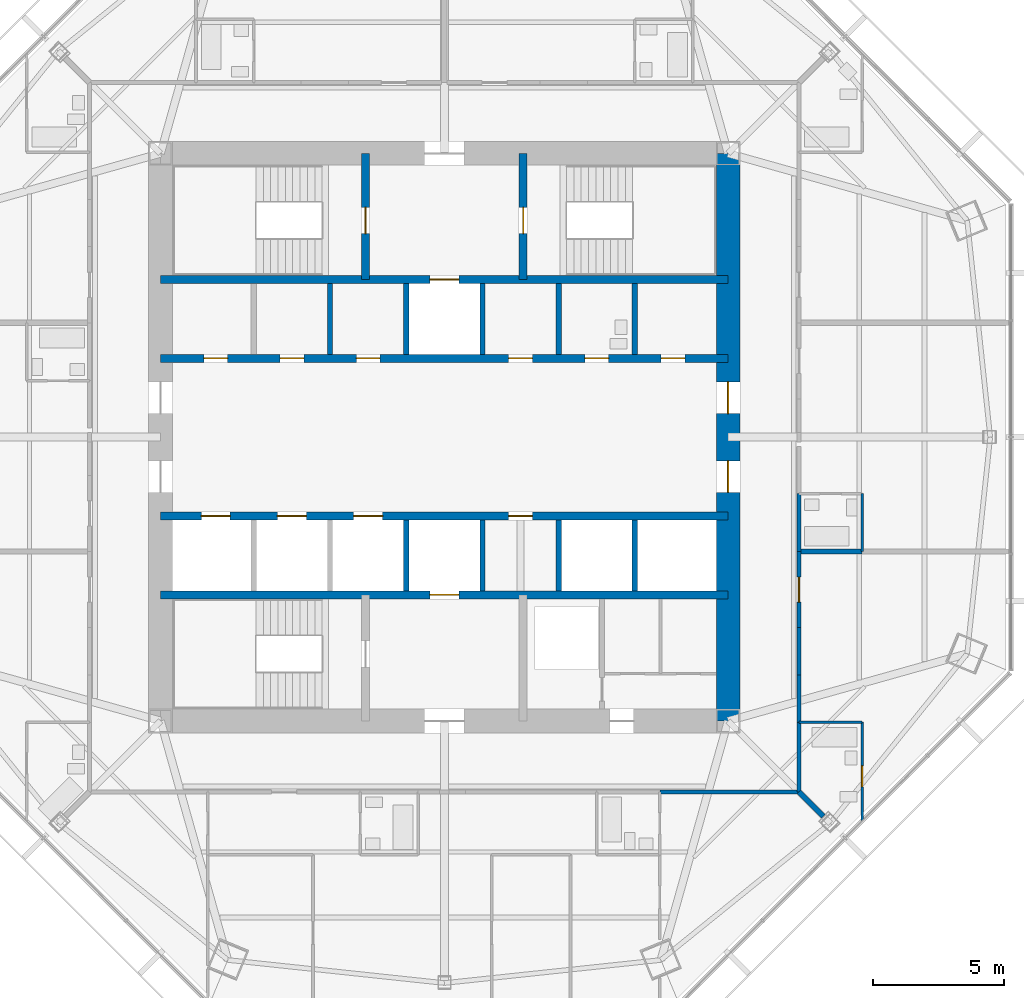
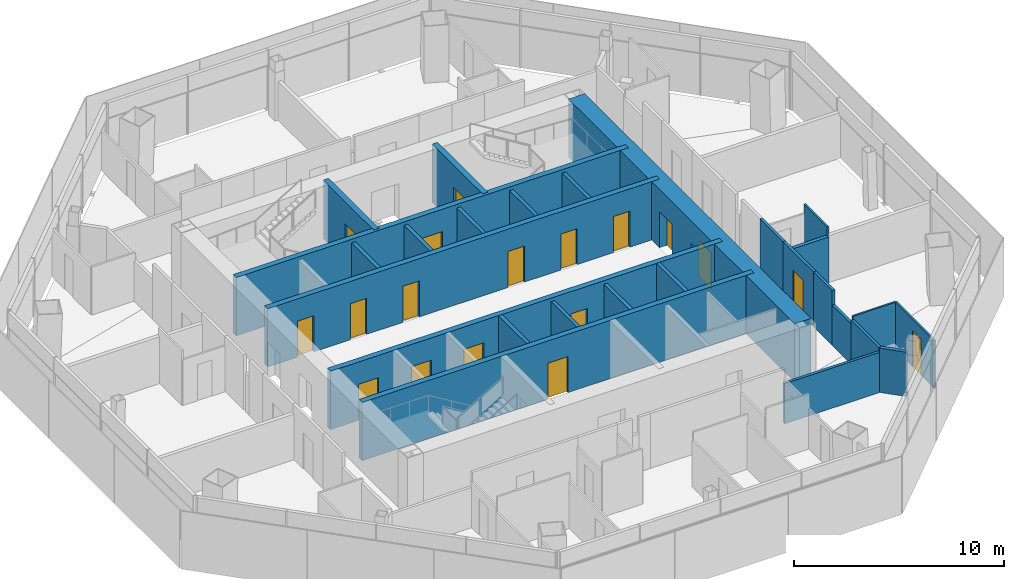
# One storey, part 10 of 15: 27 walls, 18 doors, 18 openings.
"""IFC4 building model written with IfcOpenShell, lengths in metres."""

from ifc_helpers import new_model, si_unit, direction, frame, frame_2d, origin, place, context, subcontext, project, spatial, rectangle, extrude, material, layer, layer_set, type_object, element, fill, save


model = new_model("IFC4")

# Units and contexts
model_context = context("Model", 3, precision=1e-05, world=origin(), true_north=direction((0.0, 1.0)))
body_context = subcontext(model_context, "Body", "Model", "MODEL_VIEW")
ifc_project = project(units=[si_unit("LENGTHUNIT", "METRE"), si_unit("AREAUNIT", "SQUARE_METRE"), si_unit("VOLUMEUNIT", "CUBIC_METRE"), si_unit("PLANEANGLEUNIT", "RADIAN"), si_unit("MASSUNIT", "GRAM", prefix="KILO")], contexts=[model_context])

# Site, building, storey
site_placement = place(None, origin())
site = spatial("IfcSite", under=ifc_project, at=site_placement, CompositionType="ELEMENT")
building_placement = place(site_placement, origin())
building = spatial("IfcBuilding", under=site, at=building_placement, Name="Mashrafa Tower", CompositionType="ELEMENT")
storey_placement = place(building_placement, frame((0.0, 0.0, 227.800048828125)))
storey = spatial("IfcBuildingStorey", under=building, at=storey_placement, Name="L53", CompositionType="ELEMENT", Elevation=227.800048828125)

# Walls
ifc_material_1 = material(Name="Gypsum board on steel studs", Category="steel")
ifc_layer_1 = layer(ifc_material_1, 0.199951171875)
ifc_layer_set_1 = layer_set([ifc_layer_1], Name="Acoustic partition 200 1 hr")
wall_type_1 = type_object("IfcWallType", Name="Acoustic partition 200 1 hr", PredefinedType="PARTITIONING", material=ifc_layer_set_1)
wall_1_placement = place(storey_placement, frame((13.5, -13.5, 0.0), z_axis=(0.0, 0.0, 1.0), x_axis=(0.707106781187, -0.707106781187, 0.0)))
element("IfcWall", 1, at=wall_1_placement, inside=storey, type_object=wall_type_1, Name="Acoustic wall L53-048", PredefinedType="PARTITIONING", context=body_context, shape_type="SweptSolid", body=[
    extrude(rectangle(XDim=1.3134765625, YDim=0.199951171875, at=frame_2d((0.65673828125, 0.0))), origin(), (0.0, 0.0, 1.0), 2.582763671875),
])
wall_2_placement = place(storey_placement, frame((15.90087890625, -4.35009765625, 0.0), z_axis=(0.0, 0.0, 1.0), x_axis=(-1.0, 0.0, 0.0)))
element("IfcWall", 2, at=wall_2_placement, inside=storey, type_object=wall_type_1, Name="Acoustic wall L53-049", PredefinedType="PARTITIONING", context=body_context, shape_type="SweptSolid", body=[
    extrude(rectangle(XDim=2.40087890625, YDim=0.199951171875, at=frame_2d((1.200439453125, 0.0))), origin(), (0.0, 0.0, 1.0), 2.6640625),
])

# Wall, openings, doors
ifc_material_2 = material(Name="Concrete C50/60", Category="concrete")
ifc_layer_2 = layer(ifc_material_2, 0.300048828125)
ifc_layer_set_2 = layer_set([ifc_layer_2], Name="Core wall 300 C50/60")
wall_type_2 = type_object("IfcWallType", Name="Core wall 300 C50/60", PredefinedType="SOLIDWALL", material=ifc_layer_set_2)
wall_3_placement = place(storey_placement, frame((-10.800048828125, 3.0, 0.0), z_axis=(0.0, 0.0, 1.0), x_axis=(1.0, 0.0, 0.0)))
wall_3 = element("IfcWall", 3, at=wall_3_placement, inside=storey, type_object=wall_type_2, Name="Core wall CH-N L53", PredefinedType="SOLIDWALL", context=body_context, shape_type="SweptSolid", body=[
    extrude(rectangle(XDim=21.60009765625, YDim=0.300048828125, at=frame_2d((10.800048828125, 0.0))), origin(), (0.0, 0.0, 1.0), 3.39990234375),
])
opening_1_placement = place(wall_3_placement, frame((1.64990234375, 0.0, 0.0)))
opening_1 = element("IfcOpeningElement", 4, at=opening_1_placement, cuts=wall_3, Name="Opening 53.039", PredefinedType="OPENING", context=body_context, shape_type="SweptSolid", body=[
    extrude(rectangle(XDim=0.89990234375, YDim=2.10009765625, at=frame_2d((0.449951171875, 1.050048828125))), frame((0.0, 0.159912109375, 0.0), z_axis=(0.0, -1.0, 0.0), x_axis=(1.0, 0.0, 0.0)), (0.0, 0.0, 1.0), 0.320068359375),
])
opening_2_placement = place(wall_3_placement, frame((13.25, 0.0, 0.0)))
opening_2 = element("IfcOpeningElement", 5, at=opening_2_placement, cuts=wall_3, Name="Opening 53.040", PredefinedType="OPENING", context=body_context, shape_type="SweptSolid", body=[
    extrude(rectangle(XDim=0.89990234375, YDim=2.10009765625, at=frame_2d((0.449951171875, 1.050048828125))), frame((0.0, 0.159912109375, 0.0), z_axis=(0.0, -1.0, 0.0), x_axis=(1.0, 0.0, 0.0)), (0.0, 0.0, 1.0), 0.320068359375),
])
opening_3_placement = place(wall_3_placement, frame((16.14990234375, 0.0, 0.0)))
opening_3 = element("IfcOpeningElement", 6, at=opening_3_placement, cuts=wall_3, Name="Opening 53.041", PredefinedType="OPENING", context=body_context, shape_type="SweptSolid", body=[
    extrude(rectangle(XDim=0.89990234375, YDim=2.10009765625, at=frame_2d((0.449951171875, 1.050048828125))), frame((0.0, 0.159912109375, 0.0), z_axis=(0.0, -1.0, 0.0), x_axis=(1.0, 0.0, 0.0)), (0.0, 0.0, 1.0), 0.320068359375),
])
opening_4_placement = place(wall_3_placement, frame((4.550048828125, 0.0, 0.0)))
opening_4 = element("IfcOpeningElement", 7, at=opening_4_placement, cuts=wall_3, Name="Opening 53.043", PredefinedType="OPENING", context=body_context, shape_type="SweptSolid", body=[
    extrude(rectangle(XDim=0.89990234375, YDim=2.10009765625, at=frame_2d((0.449951171875, 1.050048828125))), frame((0.0, 0.159912109375, 0.0), z_axis=(0.0, -1.0, 0.0), x_axis=(1.0, 0.0, 0.0)), (0.0, 0.0, 1.0), 0.320068359375),
])
opening_5_placement = place(wall_3_placement, frame((7.449951171875, 0.0, 0.0)))
opening_5 = element("IfcOpeningElement", 8, at=opening_5_placement, cuts=wall_3, Name="Opening 53.044", PredefinedType="OPENING", context=body_context, shape_type="SweptSolid", body=[
    extrude(rectangle(XDim=0.89990234375, YDim=2.10009765625, at=frame_2d((0.449951171875, 1.050048828125))), frame((0.0, 0.159912109375, 0.0), z_axis=(0.0, -1.0, 0.0), x_axis=(1.0, 0.0, 0.0)), (0.0, 0.0, 1.0), 0.320068359375),
])
opening_6_placement = place(wall_3_placement, frame((19.050048828125, 0.0, 0.0)))
opening_6 = element("IfcOpeningElement", 9, at=opening_6_placement, cuts=wall_3, Name="Opening 53.045", PredefinedType="OPENING", context=body_context, shape_type="SweptSolid", body=[
    extrude(rectangle(XDim=0.89990234375, YDim=2.10009765625, at=frame_2d((0.449951171875, 1.050048828125))), frame((0.0, 0.159912109375, 0.0), z_axis=(0.0, -1.0, 0.0), x_axis=(1.0, 0.0, 0.0)), (0.0, 0.0, 1.0), 0.320068359375),
])
ifc_material_3 = material(Name="Timber door", Category="wood")
door_type_1 = type_object("IfcDoorType", Name="Store door 900 x 2100", OperationType="USERDEFINED", PredefinedType="DOOR", material=ifc_material_3)
door_1_placement = place(opening_1_placement, origin())
door_1 = element("IfcDoor", 10, at=door_1_placement, inside=storey, type_object=door_type_1, Name="Refuse Chute Room L53 door", OperationType="SINGLE_SWING_RIGHT", OverallHeight=2.10009765625, OverallWidth=0.89990234375, PredefinedType="DOOR", context=body_context, shape_type="SweptSolid", body=[
    extrude(rectangle(XDim=0.89990234375, YDim=2.10009765625, at=frame_2d((0.449951171875, 1.050048828125))), frame((0.0, 0.02490234375, 0.0), z_axis=(0.0, -1.0, 0.0), x_axis=(1.0, 0.0, 0.0)), (0.0, 0.0, 1.0), 0.050048828125),
])
fill(opening_1, door_1)
door_2_placement = place(opening_2_placement, origin())
door_2 = element("IfcDoor", 11, at=door_2_placement, inside=storey, type_object=door_type_1, Name="Cleaner's Store L53 door", OperationType="SINGLE_SWING_LEFT", OverallHeight=2.10009765625, OverallWidth=0.89990234375, PredefinedType="DOOR", context=body_context, shape_type="SweptSolid", body=[
    extrude(rectangle(XDim=0.89990234375, YDim=2.10009765625, at=frame_2d((0.449951171875, 1.050048828125))), frame((0.0, 0.02490234375, 0.0), z_axis=(0.0, -1.0, 0.0), x_axis=(1.0, 0.0, 0.0)), (0.0, 0.0, 1.0), 0.050048828125),
])
fill(opening_2, door_2)
door_3_placement = place(opening_4_placement, origin())
door_3 = element("IfcDoor", 12, at=door_3_placement, inside=storey, type_object=door_type_1, Name="Residents' Store L53-A2 door", OperationType="SINGLE_SWING_LEFT", OverallHeight=2.10009765625, OverallWidth=0.89990234375, PredefinedType="DOOR", context=body_context, shape_type="SweptSolid", body=[
    extrude(rectangle(XDim=0.89990234375, YDim=2.10009765625, at=frame_2d((0.449951171875, 1.050048828125))), frame((0.0, 0.02490234375, 0.0), z_axis=(0.0, -1.0, 0.0), x_axis=(1.0, 0.0, 0.0)), (0.0, 0.0, 1.0), 0.050048828125),
])
fill(opening_4, door_3)
door_4_placement = place(opening_5_placement, origin())
door_4 = element("IfcDoor", 13, at=door_4_placement, inside=storey, type_object=door_type_1, Name="Residents' Store L53-A3 door", OperationType="SINGLE_SWING_LEFT", OverallHeight=2.10009765625, OverallWidth=0.89990234375, PredefinedType="DOOR", context=body_context, shape_type="SweptSolid", body=[
    extrude(rectangle(XDim=0.89990234375, YDim=2.10009765625, at=frame_2d((0.449951171875, 1.050048828125))), frame((0.0, 0.02490234375, 0.0), z_axis=(0.0, -1.0, 0.0), x_axis=(1.0, 0.0, 0.0)), (0.0, 0.0, 1.0), 0.050048828125),
])
fill(opening_5, door_4)
door_5_placement = place(opening_6_placement, origin())
door_5 = element("IfcDoor", 14, at=door_5_placement, inside=storey, type_object=door_type_1, Name="Residents' Store L53-K2 door", OperationType="SINGLE_SWING_LEFT", OverallHeight=2.10009765625, OverallWidth=0.89990234375, PredefinedType="DOOR", context=body_context, shape_type="SweptSolid", body=[
    extrude(rectangle(XDim=0.89990234375, YDim=2.10009765625, at=frame_2d((0.449951171875, 1.050048828125))), frame((0.0, 0.02490234375, 0.0), z_axis=(0.0, -1.0, 0.0), x_axis=(1.0, 0.0, 0.0)), (0.0, 0.0, 1.0), 0.050048828125),
])
fill(opening_6, door_5)
ifc_material_4 = material(Name="Timber door", Category="wood")
door_type_2 = type_object("IfcDoorType", Name="Toilet door 900 x 2100", OperationType="USERDEFINED", PredefinedType="DOOR", material=ifc_material_4)
door_6_placement = place(opening_3_placement, origin())
door_6 = element("IfcDoor", 15, at=door_6_placement, inside=storey, type_object=door_type_2, Name="Staff WC L53 door", OperationType="SINGLE_SWING_LEFT", OverallHeight=2.10009765625, OverallWidth=0.89990234375, PredefinedType="DOOR", context=body_context, shape_type="SweptSolid", body=[
    extrude(rectangle(XDim=0.89990234375, YDim=2.10009765625, at=frame_2d((0.449951171875, 1.050048828125))), frame((0.0, 0.02490234375, 0.0), z_axis=(0.0, -1.0, 0.0), x_axis=(1.0, 0.0, 0.0)), (0.0, 0.0, 1.0), 0.050048828125),
])
fill(opening_3, door_6)

# Wall, opening, door
wall_4_placement = place(storey_placement, frame((-10.800048828125, 6.0, 0.0), z_axis=(0.0, 0.0, 1.0), x_axis=(1.0, 0.0, 0.0)))
wall_4 = element("IfcWall", 16, at=wall_4_placement, inside=storey, type_object=wall_type_2, Name="Core wall CB-N L53", PredefinedType="SOLIDWALL", context=body_context, shape_type="SweptSolid", body=[
    extrude(rectangle(XDim=21.60009765625, YDim=0.300048828125, at=frame_2d((10.800048828125, 0.0))), origin(), (0.0, 0.0, 1.0), 3.39990234375),
])
opening_7_placement = place(wall_4_placement, frame((10.25, 0.0, 0.0)))
opening_7 = element("IfcOpeningElement", 17, at=opening_7_placement, cuts=wall_4, Name="Opening 53.F1", PredefinedType="OPENING", context=body_context, shape_type="SweptSolid", body=[
    extrude(rectangle(XDim=1.10009765625, YDim=2.10009765625, at=frame_2d((0.550048828125, 1.050048828125))), frame((0.0, 0.159912109375, 0.0), z_axis=(0.0, -1.0, 0.0), x_axis=(1.0, 0.0, 0.0)), (0.0, 0.0, 1.0), 0.320068359375),
])
ifc_material_5 = material(Name="Steel door", Category="steel")
door_type_3 = type_object("IfcDoorType", Name="Lift landing door 1100 x 2100 90 min", OperationType="DOUBLE_DOOR_SLIDING", PredefinedType="DOOR", material=ifc_material_5)
door_7_placement = place(opening_7_placement, origin())
door_7 = element("IfcDoor", 18, at=door_7_placement, inside=storey, type_object=door_type_3, Name="Lift landing door F1 L53", OperationType="DOUBLE_DOOR_SLIDING", OverallHeight=2.10009765625, OverallWidth=1.10009765625, PredefinedType="DOOR", context=body_context, shape_type="SweptSolid", body=[
    extrude(rectangle(XDim=1.10009765625, YDim=2.10009765625, at=frame_2d((0.550048828125, 1.050048828125))), frame((0.0, 0.02490234375, 0.0), z_axis=(0.0, -1.0, 0.0), x_axis=(1.0, 0.0, 0.0)), (0.0, 0.0, 1.0), 0.050048828125),
])
fill(opening_7, door_7)

wall_5_placement = place(storey_placement, frame((-3.0, 6.0, 0.0), z_axis=(0.0, 0.0, 1.0), x_axis=(0.0, 1.0, 0.0)))
wall_5 = element("IfcWall", 19, at=wall_5_placement, inside=storey, type_object=wall_type_2, Name="Core wall CX-NW L53", PredefinedType="SOLIDWALL", context=body_context, shape_type="SweptSolid", body=[
    extrude(rectangle(XDim=4.800048828125, YDim=0.300048828125, at=frame_2d((2.39990234375, 0.0))), origin(), (0.0, 0.0, 1.0), 3.39990234375),
])
opening_8_placement = place(wall_5_placement, frame((1.75, 0.0, 0.0)))
opening_8 = element("IfcOpeningElement", 20, at=opening_8_placement, cuts=wall_5, Name="Opening 53.032", PredefinedType="OPENING", context=body_context, shape_type="SweptSolid", body=[
    extrude(rectangle(XDim=1.0, YDim=2.10009765625, at=frame_2d((0.5, 1.050048828125))), frame((0.0, 0.159912109375, 0.0), z_axis=(0.0, -1.0, 0.0), x_axis=(1.0, 0.0, 0.0)), (0.0, 0.0, 1.0), 0.320068359375),
])
ifc_material_6 = material(Name="Steel door", Category="steel")
door_type_4 = type_object("IfcDoorType", Name="Stair door 1000 x 2100 90 min", OperationType="USERDEFINED", PredefinedType="DOOR", material=ifc_material_6)
door_8_placement = place(opening_8_placement, origin())
door_8 = element("IfcDoor", 21, at=door_8_placement, inside=storey, type_object=door_type_4, Name="Stair S1 door L53", OperationType="SINGLE_SWING_LEFT", OverallHeight=2.10009765625, OverallWidth=1.0, PredefinedType="DOOR", context=body_context, shape_type="SweptSolid", body=[
    extrude(rectangle(XDim=1.0, YDim=2.10009765625, at=frame_2d((0.5, 1.050048828125))), frame((0.0, 0.02490234375, 0.0), z_axis=(0.0, -1.0, 0.0), x_axis=(1.0, 0.0, 0.0)), (0.0, 0.0, 1.0), 0.050048828125),
])
fill(opening_8, door_8)

wall_6_placement = place(storey_placement, frame((3.0, 6.0, 0.0), z_axis=(0.0, 0.0, 1.0), x_axis=(0.0, 1.0, 0.0)))
wall_6 = element("IfcWall", 22, at=wall_6_placement, inside=storey, type_object=wall_type_2, Name="Core wall CX-NE L53", PredefinedType="SOLIDWALL", context=body_context, shape_type="SweptSolid", body=[
    extrude(rectangle(XDim=4.800048828125, YDim=0.300048828125, at=frame_2d((2.39990234375, 0.0))), origin(), (0.0, 0.0, 1.0), 3.39990234375),
])
opening_9_placement = place(wall_6_placement, frame((1.75, 0.0, 0.0)))
opening_9 = element("IfcOpeningElement", 23, at=opening_9_placement, cuts=wall_6, Name="Opening 53.033", PredefinedType="OPENING", context=body_context, shape_type="SweptSolid", body=[
    extrude(rectangle(XDim=1.0, YDim=2.10009765625, at=frame_2d((0.5, 1.050048828125))), frame((0.0, 0.159912109375, 0.0), z_axis=(0.0, -1.0, 0.0), x_axis=(1.0, 0.0, 0.0)), (0.0, 0.0, 1.0), 0.320068359375),
])
door_9_placement = place(opening_9_placement, frame((1.0, 0.0, 0.0), z_axis=(0.0, 0.0, 1.0), x_axis=(-1.0, 0.0, 0.0)))
door_9 = element("IfcDoor", 24, at=door_9_placement, inside=storey, type_object=door_type_4, Name="Stair S2 door L53", OperationType="SINGLE_SWING_RIGHT", OverallHeight=2.10009765625, OverallWidth=1.0, PredefinedType="DOOR", context=body_context, shape_type="SweptSolid", body=[
    extrude(rectangle(XDim=1.0, YDim=2.10009765625, at=frame_2d((0.5, 1.050048828125))), frame((0.0, 0.02490234375, 0.0), z_axis=(0.0, -1.0, 0.0), x_axis=(1.0, 0.0, 0.0)), (0.0, 0.0, 1.0), 0.050048828125),
])
fill(opening_9, door_9)

# Wall, openings, doors
wall_7_placement = place(storey_placement, frame((-10.800048828125, -3.0, 0.0), z_axis=(0.0, 0.0, 1.0), x_axis=(1.0, 0.0, 0.0)))
wall_7 = element("IfcWall", 25, at=wall_7_placement, inside=storey, type_object=wall_type_2, Name="Core wall CH-S L53", PredefinedType="SOLIDWALL", context=body_context, shape_type="SweptSolid", body=[
    extrude(rectangle(XDim=21.60009765625, YDim=0.300048828125, at=frame_2d((10.800048828125, 0.0))), origin(), (0.0, 0.0, 1.0), 3.39990234375),
])
opening_10_placement = place(wall_7_placement, frame((13.25, 0.0, 0.0)))
opening_10 = element("IfcOpeningElement", 26, at=opening_10_placement, cuts=wall_7, Name="Opening 53.042", PredefinedType="OPENING", context=body_context, shape_type="SweptSolid", body=[
    extrude(rectangle(XDim=0.89990234375, YDim=2.10009765625, at=frame_2d((0.449951171875, 1.050048828125))), frame((0.0, 0.159912109375, 0.0), z_axis=(0.0, -1.0, 0.0), x_axis=(1.0, 0.0, 0.0)), (0.0, 0.0, 1.0), 0.320068359375),
])
opening_11_placement = place(wall_7_placement, frame((1.550048828125, 0.0, 0.0)))
opening_11 = element("IfcOpeningElement", 27, at=opening_11_placement, cuts=wall_7, Name="Opening 53.AL1", PredefinedType="OPENING", context=body_context, shape_type="SweptSolid", body=[
    extrude(rectangle(XDim=1.10009765625, YDim=2.10009765625, at=frame_2d((0.550048828125, 1.050048828125))), frame((0.0, 0.159912109375, 0.0), z_axis=(0.0, -1.0, 0.0), x_axis=(1.0, 0.0, 0.0)), (0.0, 0.0, 1.0), 0.320068359375),
])
opening_12_placement = place(wall_7_placement, frame((4.449951171875, 0.0, 0.0)))
opening_12 = element("IfcOpeningElement", 28, at=opening_12_placement, cuts=wall_7, Name="Opening 53.AL2", PredefinedType="OPENING", context=body_context, shape_type="SweptSolid", body=[
    extrude(rectangle(XDim=1.10009765625, YDim=2.10009765625, at=frame_2d((0.550048828125, 1.050048828125))), frame((0.0, 0.159912109375, 0.0), z_axis=(0.0, -1.0, 0.0), x_axis=(1.0, 0.0, 0.0)), (0.0, 0.0, 1.0), 0.320068359375),
])
opening_13_placement = place(wall_7_placement, frame((7.35009765625, 0.0, 0.0)))
opening_13 = element("IfcOpeningElement", 29, at=opening_13_placement, cuts=wall_7, Name="Opening 53.AL3", PredefinedType="OPENING", context=body_context, shape_type="SweptSolid", body=[
    extrude(rectangle(XDim=1.10009765625, YDim=2.10009765625, at=frame_2d((0.550048828125, 1.050048828125))), frame((0.0, 0.159912109375, 0.0), z_axis=(0.0, -1.0, 0.0), x_axis=(1.0, 0.0, 0.0)), (0.0, 0.0, 1.0), 0.320068359375),
])
door_10_placement = place(opening_11_placement, origin())
door_10 = element("IfcDoor", 30, at=door_10_placement, inside=storey, type_object=door_type_3, Name="Lift landing door AL1 L53", OperationType="DOUBLE_DOOR_SLIDING", OverallHeight=2.10009765625, OverallWidth=1.10009765625, PredefinedType="DOOR", context=body_context, shape_type="SweptSolid", body=[
    extrude(rectangle(XDim=1.10009765625, YDim=2.10009765625, at=frame_2d((0.550048828125, 1.050048828125))), frame((0.0, 0.02490234375, 0.0), z_axis=(0.0, -1.0, 0.0), x_axis=(1.0, 0.0, 0.0)), (0.0, 0.0, 1.0), 0.050048828125),
])
fill(opening_11, door_10)
door_11_placement = place(opening_12_placement, origin())
door_11 = element("IfcDoor", 31, at=door_11_placement, inside=storey, type_object=door_type_3, Name="Lift landing door AL2 L53", OperationType="DOUBLE_DOOR_SLIDING", OverallHeight=2.10009765625, OverallWidth=1.10009765625, PredefinedType="DOOR", context=body_context, shape_type="SweptSolid", body=[
    extrude(rectangle(XDim=1.10009765625, YDim=2.10009765625, at=frame_2d((0.550048828125, 1.050048828125))), frame((0.0, 0.02490234375, 0.0), z_axis=(0.0, -1.0, 0.0), x_axis=(1.0, 0.0, 0.0)), (0.0, 0.0, 1.0), 0.050048828125),
])
fill(opening_12, door_11)
door_12_placement = place(opening_13_placement, origin())
door_12 = element("IfcDoor", 32, at=door_12_placement, inside=storey, type_object=door_type_3, Name="Lift landing door AL3 L53", OperationType="DOUBLE_DOOR_SLIDING", OverallHeight=2.10009765625, OverallWidth=1.10009765625, PredefinedType="DOOR", context=body_context, shape_type="SweptSolid", body=[
    extrude(rectangle(XDim=1.10009765625, YDim=2.10009765625, at=frame_2d((0.550048828125, 1.050048828125))), frame((0.0, 0.02490234375, 0.0), z_axis=(0.0, -1.0, 0.0), x_axis=(1.0, 0.0, 0.0)), (0.0, 0.0, 1.0), 0.050048828125),
])
fill(opening_13, door_12)
door_13_placement = place(opening_10_placement, frame((0.89990234375, 0.0, 0.0), z_axis=(0.0, 0.0, 1.0), x_axis=(-1.0, 0.0, 0.0)))
door_13 = element("IfcDoor", 33, at=door_13_placement, inside=storey, type_object=door_type_1, Name="Linen Store L53 door", OperationType="SINGLE_SWING_RIGHT", OverallHeight=2.10009765625, OverallWidth=0.89990234375, PredefinedType="DOOR", context=body_context, shape_type="SweptSolid", body=[
    extrude(rectangle(XDim=0.89990234375, YDim=2.10009765625, at=frame_2d((0.449951171875, 1.050048828125))), frame((0.0, 0.02490234375, 0.0), z_axis=(0.0, -1.0, 0.0), x_axis=(1.0, 0.0, 0.0)), (0.0, 0.0, 1.0), 0.050048828125),
])
fill(opening_10, door_13)

# Wall, opening, door
wall_8_placement = place(storey_placement, frame((-10.800048828125, -6.0, 0.0), z_axis=(0.0, 0.0, 1.0), x_axis=(1.0, 0.0, 0.0)))
wall_8 = element("IfcWall", 34, at=wall_8_placement, inside=storey, type_object=wall_type_2, Name="Core wall CB-S L53", PredefinedType="SOLIDWALL", context=body_context, shape_type="SweptSolid", body=[
    extrude(rectangle(XDim=21.60009765625, YDim=0.300048828125, at=frame_2d((10.800048828125, 0.0))), origin(), (0.0, 0.0, 1.0), 3.39990234375),
])
opening_14_placement = place(wall_8_placement, frame((10.25, 0.0, 0.0)))
opening_14 = element("IfcOpeningElement", 35, at=opening_14_placement, cuts=wall_8, Name="Opening 53.F2", PredefinedType="OPENING", context=body_context, shape_type="SweptSolid", body=[
    extrude(rectangle(XDim=1.10009765625, YDim=2.10009765625, at=frame_2d((0.550048828125, 1.050048828125))), frame((0.0, 0.159912109375, 0.0), z_axis=(0.0, -1.0, 0.0), x_axis=(1.0, 0.0, 0.0)), (0.0, 0.0, 1.0), 0.320068359375),
])
door_14_placement = place(opening_14_placement, origin())
door_14 = element("IfcDoor", 36, at=door_14_placement, inside=storey, type_object=door_type_3, Name="Lift landing door F2 L53", OperationType="DOUBLE_DOOR_SLIDING", OverallHeight=2.10009765625, OverallWidth=1.10009765625, PredefinedType="DOOR", context=body_context, shape_type="SweptSolid", body=[
    extrude(rectangle(XDim=1.10009765625, YDim=2.10009765625, at=frame_2d((0.550048828125, 1.050048828125))), frame((0.0, 0.02490234375, 0.0), z_axis=(0.0, -1.0, 0.0), x_axis=(1.0, 0.0, 0.0)), (0.0, 0.0, 1.0), 0.050048828125),
])
fill(opening_14, door_14)

# Wall, openings, doors
ifc_material_7 = material(Name="Concrete C50/60", Category="concrete")
ifc_layer_3 = layer(ifc_material_7, 0.89990234375)
ifc_layer_set_3 = layer_set([ifc_layer_3], Name="Core wall 900 C50/60")
wall_type_3 = type_object("IfcWallType", Name="Core wall 900 C50/60", PredefinedType="SOLIDWALL", material=ifc_layer_set_3)
wall_9_placement = place(storey_placement, frame((10.800048828125, -10.800048828125, 0.0), z_axis=(0.0, 0.0, 1.0), x_axis=(0.0, 1.0, 0.0)))
wall_9 = element("IfcWall", 37, at=wall_9_placement, inside=storey, type_object=wall_type_3, Name="Core wall CW-E L53", PredefinedType="SOLIDWALL", context=body_context, shape_type="SweptSolid", body=[
    extrude(rectangle(XDim=21.60009765625, YDim=0.89990234375, at=frame_2d((10.800048828125, 0.0))), origin(), (0.0, 0.0, 1.0), 3.39990234375),
])
opening_15_placement = place(wall_9_placement, frame((11.699951171875, 0.0, 0.0)))
opening_15 = element("IfcOpeningElement", 38, at=opening_15_placement, cuts=wall_9, Name="Opening 53.026", PredefinedType="OPENING", context=body_context, shape_type="SweptSolid", body=[
    extrude(rectangle(XDim=1.199951171875, YDim=2.10009765625, at=frame_2d((0.60009765625, 1.050048828125))), frame((0.0, 0.4599609375, 0.0), z_axis=(0.0, -1.0, 0.0), x_axis=(1.0, 0.0, 0.0)), (0.0, 0.0, 1.0), 0.919921875),
])
opening_16_placement = place(wall_9_placement, frame((8.699951171875, 0.0, 0.0)))
opening_16 = element("IfcOpeningElement", 39, at=opening_16_placement, cuts=wall_9, Name="Opening 53.028", PredefinedType="OPENING", context=body_context, shape_type="SweptSolid", body=[
    extrude(rectangle(XDim=1.199951171875, YDim=2.10009765625, at=frame_2d((0.60009765625, 1.050048828125))), frame((0.0, 0.4599609375, 0.0), z_axis=(0.0, -1.0, 0.0), x_axis=(1.0, 0.0, 0.0)), (0.0, 0.0, 1.0), 0.919921875),
])
ifc_material_8 = material(Name="Steel door", Category="steel")
door_type_5 = type_object("IfcDoorType", Name="Lift hall door 1200 x 2100 90 min", OperationType="USERDEFINED", PredefinedType="DOOR", material=ifc_material_8)
door_15_placement = place(opening_15_placement, frame((1.199951171875, 0.0, 0.0), z_axis=(0.0, 0.0, 1.0), x_axis=(-1.0, 0.0, 0.0)))
door_15 = element("IfcDoor", 40, at=door_15_placement, inside=storey, type_object=door_type_5, Name="Lift hall door east L53", OperationType="SINGLE_SWING_LEFT", OverallHeight=2.10009765625, OverallWidth=1.199951171875, PredefinedType="DOOR", context=body_context, shape_type="SweptSolid", body=[
    extrude(rectangle(XDim=1.199951171875, YDim=2.10009765625, at=frame_2d((0.60009765625, 1.050048828125))), frame((0.0, 0.02490234375, 0.0), z_axis=(0.0, -1.0, 0.0), x_axis=(1.0, 0.0, 0.0)), (0.0, 0.0, 1.0), 0.050048828125),
])
fill(opening_15, door_15)
door_16_placement = place(opening_16_placement, frame((1.199951171875, 0.0, 0.0), z_axis=(0.0, 0.0, 1.0), x_axis=(-1.0, 0.0, 0.0)))
door_16 = element("IfcDoor", 41, at=door_16_placement, inside=storey, type_object=door_type_5, Name="Lift hall door east L53", OperationType="SINGLE_SWING_RIGHT", OverallHeight=2.10009765625, OverallWidth=1.199951171875, PredefinedType="DOOR", context=body_context, shape_type="SweptSolid", body=[
    extrude(rectangle(XDim=1.199951171875, YDim=2.10009765625, at=frame_2d((0.60009765625, 1.050048828125))), frame((0.0, 0.02490234375, 0.0), z_axis=(0.0, -1.0, 0.0), x_axis=(1.0, 0.0, 0.0)), (0.0, 0.0, 1.0), 0.050048828125),
])
fill(opening_16, door_16)

# Walls
ifc_material_9 = material(Name="Gypsum board on steel studs", Category="steel")
ifc_layer_4 = layer(ifc_material_9, 0.14990234375)
ifc_layer_set_4 = layer_set([ifc_layer_4], Name="Corridor partition 150 1 hr")
wall_type_4 = type_object("IfcWallType", Name="Corridor partition 150 1 hr", PredefinedType="PARTITIONING", material=ifc_layer_set_4)
wall_10_placement = place(storey_placement, frame((13.5, -13.5, 0.0), z_axis=(0.0, 0.0, 1.0), x_axis=(0.0, 1.0, 0.0)))
element("IfcWall", 42, at=wall_10_placement, inside=storey, type_object=wall_type_4, Name="Corridor wall L53-001", PredefinedType="PARTITIONING", context=body_context, shape_type="SweptSolid", body=[
    extrude(rectangle(XDim=2.65087890625, YDim=0.14990234375, at=frame_2d((1.325439453125, 0.0))), origin(), (0.0, 0.0, 1.0), 2.582763671875),
])
wall_11_placement = place(storey_placement, frame((13.5, -9.051025390625, 0.0), z_axis=(0.0, 0.0, 1.0), x_axis=(0.0, 1.0, 0.0)))
element("IfcWall", 43, at=wall_11_placement, inside=storey, type_object=wall_type_4, Name="Corridor wall L53-002", PredefinedType="PARTITIONING", context=body_context, shape_type="SweptSolid", body=[
    extrude(rectangle(XDim=1.802001953125, YDim=0.14990234375, at=frame_2d((0.90087890625, 0.0))), origin(), (0.0, 0.0, 1.0), 3.199951171875),
])
wall_12_placement = place(storey_placement, frame((13.5, -10.85107421875, 0.0), z_axis=(0.0, 0.0, 1.0), x_axis=(0.0, 1.0, 0.0)))
element("IfcWall", 44, at=wall_12_placement, inside=storey, type_object=wall_type_4, Name="Corridor wall L53-003", PredefinedType="PARTITIONING", context=body_context, shape_type="SweptSolid", body=[
    extrude(rectangle(XDim=1.802001953125, YDim=0.14990234375, at=frame_2d((0.90087890625, 0.0))), origin(), (0.0, 0.0, 1.0), 2.34423828125),
])

# Wall, opening, door
wall_13_placement = place(storey_placement, frame((13.5, -7.2509765625, 0.0), z_axis=(0.0, 0.0, 1.0), x_axis=(0.0, 1.0, 0.0)))
wall_13 = element("IfcWall", 45, at=wall_13_placement, inside=storey, type_object=wall_type_4, Name="Corridor wall L53-004", PredefinedType="PARTITIONING", context=body_context, shape_type="SweptSolid", body=[
    extrude(rectangle(XDim=2.90185546875, YDim=0.14990234375, at=frame_2d((1.450927734375, 0.0))), origin(), (0.0, 0.0, 1.0), 3.199951171875),
])
opening_17_placement = place(wall_13_placement, frame((0.97607421875, 0.0, 0.0)))
opening_17 = element("IfcOpeningElement", 46, at=opening_17_placement, cuts=wall_13, Name="Opening 53.002", PredefinedType="OPENING", context=body_context, shape_type="SweptSolid", body=[
    extrude(rectangle(XDim=0.949951171875, YDim=2.10009765625, at=frame_2d((0.47509765625, 1.050048828125))), frame((0.0, 0.0849609375, 0.0), z_axis=(0.0, -1.0, 0.0), x_axis=(1.0, 0.0, 0.0)), (0.0, 0.0, 1.0), 0.169921875),
])
ifc_material_10 = material(Name="Steel door", Category="steel")
door_type_6 = type_object("IfcDoorType", Name="Residence entrance door 950 x 2100 20 min", OperationType="USERDEFINED", PredefinedType="DOOR", material=ifc_material_10)
door_17_placement = place(opening_17_placement, frame((0.949951171875, 0.0, 0.0), z_axis=(0.0, 0.0, 1.0), x_axis=(-1.0, 0.0, 0.0)))
door_17 = element("IfcDoor", 47, at=door_17_placement, inside=storey, type_object=door_type_6, Name="Apartment 5301 Studio Living Room door", OperationType="SINGLE_SWING_LEFT", OverallHeight=2.10009765625, OverallWidth=0.949951171875, PredefinedType="DOOR", context=body_context, shape_type="SweptSolid", body=[
    extrude(rectangle(XDim=0.949951171875, YDim=2.10009765625, at=frame_2d((0.47509765625, 1.050048828125))), frame((0.0, 0.02490234375, 0.0), z_axis=(0.0, -1.0, 0.0), x_axis=(1.0, 0.0, 0.0)), (0.0, 0.0, 1.0), 0.050048828125),
])
fill(opening_17, door_17)

# Walls
wall_14_placement = place(storey_placement, frame((13.5, -4.35107421875, 0.0), z_axis=(0.0, 0.0, 1.0), x_axis=(0.0, 1.0, 0.0)))
element("IfcWall", 48, at=wall_14_placement, inside=storey, type_object=wall_type_4, Name="Corridor wall L53-005", PredefinedType="PARTITIONING", context=body_context, shape_type="SweptSolid", body=[
    extrude(rectangle(XDim=2.2021484375, YDim=0.14990234375, at=frame_2d((1.10107421875, 0.0))), origin(), (0.0, 0.0, 1.0), 3.199951171875),
])
wall_15_placement = place(storey_placement, frame((8.198974609375, -13.5, 0.0), z_axis=(0.0, 0.0, 1.0), x_axis=(1.0, 0.0, 0.0)))
element("IfcWall", 49, at=wall_15_placement, inside=storey, type_object=wall_type_4, Name="Corridor wall L53-043", PredefinedType="PARTITIONING", context=body_context, shape_type="SweptSolid", body=[
    extrude(rectangle(XDim=5.301025390625, YDim=0.14990234375, at=frame_2d((2.650390625, 0.0))), origin(), (0.0, 0.0, 1.0), 2.34423828125),
])

# Wall, opening, door
ifc_material_11 = material(Name="Gypsum board on steel studs", Category="steel")
ifc_layer_5 = layer(ifc_material_11, 0.10009765625)
ifc_layer_set_5 = layer_set([ifc_layer_5], Name="Partition 100")
wall_type_5 = type_object("IfcWallType", Name="Partition 100", PredefinedType="PARTITIONING", material=ifc_layer_set_5)
wall_16_placement = place(storey_placement, frame((15.89990234375, -14.58349609375, 0.0), z_axis=(0.0, 0.0, 1.0), x_axis=(0.0, 1.0, 0.0)))
wall_16 = element("IfcWall", 50, at=wall_16_placement, inside=storey, type_object=wall_type_5, Name="Partition wall L53-046", PredefinedType="PARTITIONING", context=body_context, shape_type="SweptSolid", body=[
    extrude(rectangle(XDim=3.7333984375, YDim=0.10009765625, at=frame_2d((1.86669921875, 0.0))), origin(), (0.0, 0.0, 1.0), 2.783447265625),
])
opening_18_placement = place(wall_16_placement, frame((1.27001953125, 0.0, 0.0)))
opening_18 = element("IfcOpeningElement", 51, at=opening_18_placement, cuts=wall_16, Name="Opening 53.001", PredefinedType="OPENING", context=body_context, shape_type="SweptSolid", body=[
    extrude(rectangle(XDim=0.800048828125, YDim=2.10009765625, at=frame_2d((0.39990234375, 1.050048828125))), frame((0.0, 0.06005859375, 0.0), z_axis=(0.0, -1.0, 0.0), x_axis=(1.0, 0.0, 0.0)), (0.0, 0.0, 1.0), 0.1201171875),
])
ifc_material_12 = material(Name="Timber door", Category="wood")
door_type_7 = type_object("IfcDoorType", Name="Bathroom door 800 x 2100", OperationType="USERDEFINED", PredefinedType="DOOR", material=ifc_material_12)
door_18_placement = place(opening_18_placement, origin())
door_18 = element("IfcDoor", 52, at=door_18_placement, inside=storey, type_object=door_type_7, Name="Apartment 5301 Bathroom door", OperationType="SINGLE_SWING_LEFT", OverallHeight=2.10009765625, OverallWidth=0.800048828125, PredefinedType="DOOR", context=body_context, shape_type="SweptSolid", body=[
    extrude(rectangle(XDim=0.800048828125, YDim=2.10009765625, at=frame_2d((0.39990234375, 1.050048828125))), frame((0.0, 0.02490234375, 0.0), z_axis=(0.0, -1.0, 0.0), x_axis=(1.0, 0.0, 0.0)), (0.0, 0.0, 1.0), 0.050048828125),
])
fill(opening_18, door_18)

# Walls
wall_17_placement = place(storey_placement, frame((15.89990234375, -10.85009765625, 0.0), z_axis=(0.0, 0.0, 1.0), x_axis=(-1.0, 0.0, 0.0)))
element("IfcWall", 53, at=wall_17_placement, inside=storey, type_object=wall_type_5, Name="Partition wall L53-047", PredefinedType="PARTITIONING", context=body_context, shape_type="SweptSolid", body=[
    extrude(rectangle(XDim=2.39990234375, YDim=0.10009765625, at=frame_2d((1.199951171875, 0.0))), origin(), (0.0, 0.0, 1.0), 2.7861328125),
])
wall_18_placement = place(storey_placement, frame((15.89990234375, -4.35009765625, 0.0), z_axis=(0.0, 0.0, 1.0), x_axis=(0.0, 1.0, 0.0)))
element("IfcWall", 54, at=wall_18_placement, inside=storey, type_object=wall_type_5, Name="Partition wall L53-051", PredefinedType="PARTITIONING", context=body_context, shape_type="SweptSolid", body=[
    extrude(rectangle(XDim=2.2001953125, YDim=0.10009765625, at=frame_2d((1.10009765625, 0.0))), origin(), (0.0, 0.0, 1.0), 3.199951171875),
])
ifc_material_13 = material(Name="Gypsum shaft wall on steel studs", Category="steel")
ifc_layer_6 = layer(ifc_material_13, 0.199951171875)
ifc_layer_set_6 = layer_set([ifc_layer_6], Name="Shaft divider wall 200 2 hr")
wall_type_6 = type_object("IfcWallType", Name="Shaft divider wall 200 2 hr", PredefinedType="PARTITIONING", material=ifc_layer_set_6)
for number, where, z_axis, x_axis, name in (
    (55, (-4.35009765625, 3.14990234375, 0.0), (0.0, 0.0, 1.0), (0.0, 1.0, 0.0), "Shaft divider wall N2 L53"),
    (56, (-1.449951171875, 3.14990234375, 0.0), (0.0, 0.0, 1.0), (0.0, 1.0, 0.0), "Shaft divider wall N3 L53"),
    (57, (1.449951171875, 3.14990234375, 0.0), (0.0, 0.0, 1.0), (0.0, 1.0, 0.0), "Shaft divider wall N4 L53"),
    (58, (4.35009765625, 3.14990234375, 0.0), (0.0, 0.0, 1.0), (0.0, 1.0, 0.0), "Shaft divider wall N5 L53"),
    (59, (7.25, 3.14990234375, 0.0), (0.0, 0.0, 1.0), (0.0, 1.0, 0.0), "Shaft divider wall N6 L53"),
):
    element("IfcWall", number, at=place(storey_placement, frame(where, z_axis=z_axis, x_axis=x_axis)), inside=storey, type_object=wall_type_6, Name=name, PredefinedType="PARTITIONING", context=body_context, shape_type="SweptSolid", body=[
        extrude(rectangle(XDim=2.7001953125, YDim=0.199951171875, at=frame_2d((1.35009765625, 0.0))), origin(), (0.0, 0.0, 1.0), 3.199951171875),
    ])
wall_19_placement = place(storey_placement, frame((-1.449951171875, -5.85009765625, 0.0), z_axis=(0.0, 0.0, 1.0), x_axis=(0.0, 1.0, 0.0)))
element("IfcWall", 60, at=wall_19_placement, inside=storey, type_object=wall_type_6, Name="Shaft divider wall S3 L53", PredefinedType="PARTITIONING", context=body_context, shape_type="SweptSolid", body=[
    extrude(rectangle(XDim=2.7001953125, YDim=0.199951171875, at=frame_2d((1.35009765625, 0.0))), origin(), (0.0, 0.0, 1.0), 3.39990234375),
])
for number, where, z_axis, x_axis, name in (
    (61, (1.449951171875, -5.85009765625, 0.0), (0.0, 0.0, 1.0), (0.0, 1.0, 0.0), "Shaft divider wall S4 L53"),
    (62, (4.35009765625, -5.85009765625, 0.0), (0.0, 0.0, 1.0), (0.0, 1.0, 0.0), "Shaft divider wall S5 L53"),
):
    element("IfcWall", number, at=place(storey_placement, frame(where, z_axis=z_axis, x_axis=x_axis)), inside=storey, type_object=wall_type_6, Name=name, PredefinedType="PARTITIONING", context=body_context, shape_type="SweptSolid", body=[
        extrude(rectangle(XDim=2.7001953125, YDim=0.199951171875, at=frame_2d((1.35009765625, 0.0))), origin(), (0.0, 0.0, 1.0), 3.199951171875),
    ])
wall_20_placement = place(storey_placement, frame((7.25, -5.85009765625, 0.0), z_axis=(0.0, 0.0, 1.0), x_axis=(0.0, 1.0, 0.0)))
element("IfcWall", 63, at=wall_20_placement, inside=storey, type_object=wall_type_6, Name="Shaft divider wall S6 L53", PredefinedType="PARTITIONING", context=body_context, shape_type="SweptSolid", body=[
    extrude(rectangle(XDim=2.7001953125, YDim=0.199951171875, at=frame_2d((1.35009765625, 0.0))), origin(), (0.0, 0.0, 1.0), 3.39990234375),
])

save(model, "model.ifc")
